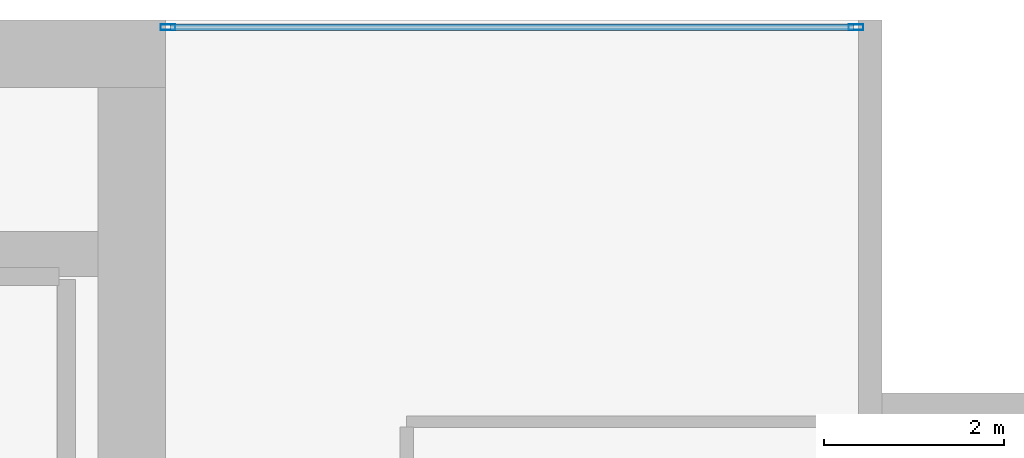
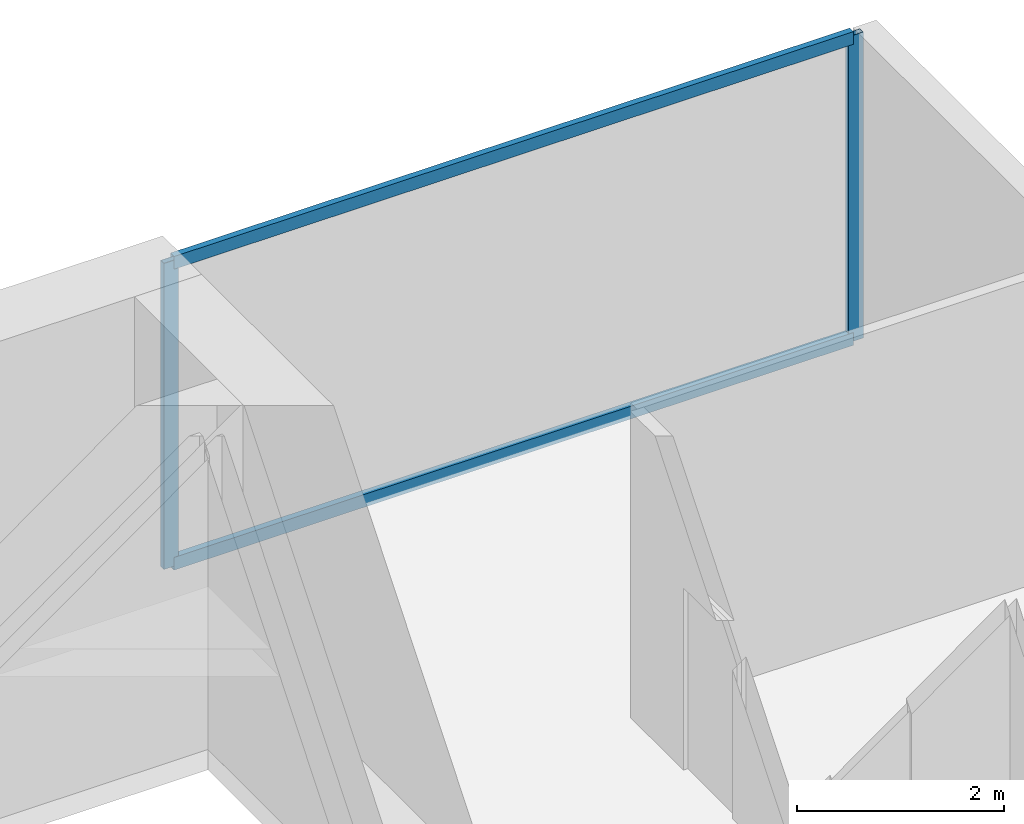
# One storey, part 25 of 34: 4 members, 1 element without a shape of its own.
"""IFC4 building model written with IfcOpenShell, lengths in metres."""

import ifcopenshell
import ifcopenshell.guid

model = None  # the IFC model being written
_history = None  # IfcOwnerHistory: only IFC2X3 demands one
_inside = {}  # id of a spatial element -> (the spatial element, [elements in it])
_under = {}  # id of a project, library or spatial element -> (it, [spatial elements below it])
_declared = {}  # id of a project -> (the project, [libraries it declares])
_typed = {}  # id of a type object -> (the type object, [elements of that type])
_made_of = {}  # id of a material, layer set ... -> (it, [elements and type objects made of it])


def new_model(schema):
    """Start an empty IFC model of exactly this schema.

    Asked for "IFC4X3", IfcOpenShell would pick the latest addendum, in which some entities
    have other attributes; the version numbers below select the first issue.
    IFC2X3 requires an IfcOwnerHistory on every rooted entity: one is made here for all.
    """
    global model, _history
    if schema == "IFC4X3":
        model = ifcopenshell.file(schema_version=(4, 3, 0, 0))
    else:
        model = ifcopenshell.file(schema=schema)
    _inside.clear()
    _under.clear()
    _declared.clear()
    _typed.clear()
    _made_of.clear()
    _history = None
    if model.schema == "IFC2X3":
        org = make("IfcOrganization", Name="unknown")
        user = make(
            "IfcPersonAndOrganization",
            ThePerson=make("IfcPerson", FamilyName="unknown"),
            TheOrganization=org,
        )
        app = make(
            "IfcApplication",
            ApplicationDeveloper=org,
            Version="unknown",
            ApplicationFullName="unknown",
            ApplicationIdentifier="unknown",
        )
        _history = make(
            "IfcOwnerHistory",
            OwningUser=user,
            OwningApplication=app,
            ChangeAction="ADDED",
            CreationDate=0,
        )
    return model


def make(cls, **values):
    """One entity of the class cls with the attributes given. An attribute that is None is left unset."""
    return model.create_entity(
        cls, **{name: value for name, value in values.items() if value is not None}
    )


def rooted(cls, **values):
    """An entity with a GlobalId (a new one), such as an element, a storey or a relation."""
    return make(cls, GlobalId=ifcopenshell.guid.new(), OwnerHistory=_history, **values)


def si_unit(unit_type, name, prefix=None):
    """IfcSIUnit, for example si_unit("LENGTHUNIT", "METRE", prefix="MILLI")."""
    return make("IfcSIUnit", UnitType=unit_type, Prefix=prefix, Name=name)


def assignment(units):
    """IfcUnitAssignment: the units of a project."""
    return None if units is None else make("IfcUnitAssignment", Units=units)


def point(xyz):
    """IfcCartesianPoint."""
    return None if xyz is None else make("IfcCartesianPoint", Coordinates=xyz)


def direction(xyz):
    """IfcDirection."""
    return None if xyz is None else make("IfcDirection", DirectionRatios=xyz)


def frame(location, z_axis=None, x_axis=None):
    """IfcAxis2Placement3D, a coordinate frame: its origin and axes. An axis left out is left unset."""
    return make(
        "IfcAxis2Placement3D",
        Location=point(location),
        Axis=direction(z_axis),
        RefDirection=direction(x_axis),
    )


def frame_2d(location, x_axis=None):
    """IfcAxis2Placement2D, a coordinate frame in the plane: its origin and x axis."""
    return make(
        "IfcAxis2Placement2D", Location=point(location), RefDirection=direction(x_axis)
    )


def origin():
    """The frame at (0, 0, 0) with its axes left unset."""
    return frame((0.0, 0.0, 0.0))


def origin_2d():
    """The frame at (0, 0) in the plane with its x axis left unset."""
    return frame_2d((0.0, 0.0))


def place(relative_to, where):
    """IfcLocalPlacement: puts the frame where relative to a parent placement (None: the world)."""
    return make(
        "IfcLocalPlacement", PlacementRelTo=relative_to, RelativePlacement=where
    )


def context(
    kind, dimensions, precision=None, world=None, true_north=None, identifier=None
):
    """IfcGeometricRepresentationContext, for example the 3D "Model" context."""
    return make(
        "IfcGeometricRepresentationContext",
        ContextIdentifier=identifier,
        ContextType=kind,
        CoordinateSpaceDimension=dimensions,
        Precision=precision,
        WorldCoordinateSystem=world,
        TrueNorth=true_north,
    )


def subcontext(parent, identifier, kind, view, scale=None):
    """IfcGeometricRepresentationSubContext, for example "Body" below "Model"."""
    return make(
        "IfcGeometricRepresentationSubContext",
        ContextIdentifier=identifier,
        ContextType=kind,
        ParentContext=parent,
        TargetScale=scale,
        TargetView=view,
    )


def project(units=None, contexts=None):
    """IfcProject with its units and contexts."""
    return rooted(
        "IfcProject",
        Name="project",
        RepresentationContexts=contexts,
        UnitsInContext=assignment(units),
    )


def spatial(cls, under=None, at=None, **own):
    """A site, building, storey or space (cls), placed at a placement, below another one or the project."""
    s = rooted(cls, ObjectPlacement=at, **own)
    if under is not None:
        _under.setdefault(under.id(), (under, []))[1].append(s)
    return s


def profile(cls, at=None, kind="AREA", **sizes):
    """A parametric profile (cls). Its sizes go by their IFC names, for example OverallWidth=200.0."""
    return make(cls, ProfileType=kind, Position=at, **sizes)


def hollow_rectangle(**sizes):
    """IfcRectangleHollowProfileDef."""
    return profile("IfcRectangleHollowProfileDef", **sizes)


def extrude(swept, where, along, depth):
    """IfcExtrudedAreaSolid: the profile swept, set in the frame where, extruded along a direction by depth."""
    return make(
        "IfcExtrudedAreaSolid",
        SweptArea=swept,
        Position=where,
        ExtrudedDirection=direction(along),
        Depth=depth,
    )


def shape(context_of_items, identifier, shape_type, items):
    """IfcShapeRepresentation: the items that make up one representation, for example the "Body"."""
    return make(
        "IfcShapeRepresentation",
        ContextOfItems=context_of_items,
        RepresentationIdentifier=identifier,
        RepresentationType=shape_type,
        Items=items,
    )


def material(Name=None, Category=None):
    """IfcMaterial."""
    return make("IfcMaterial", Name=Name, Category=Category)


def layer(
    of_material, thickness, ventilated=None, Name=None, Category=None, Priority=None
):
    """IfcMaterialLayer: one layer of a wall or slab, of a material (None: an air gap)."""
    return make(
        "IfcMaterialLayer",
        Material=of_material,
        LayerThickness=thickness,
        IsVentilated=ventilated,
        Name=Name,
        Category=Category,
        Priority=Priority,
    )


def layer_set(layers, Name=None):
    """IfcMaterialLayerSet."""
    return make("IfcMaterialLayerSet", MaterialLayers=layers, LayerSetName=Name)


def material_profile(
    of_material, cross_section, Name=None, Category=None, Priority=None
):
    """IfcMaterialProfile: a cross section and its material."""
    return make(
        "IfcMaterialProfile",
        Name=Name,
        Material=of_material,
        Profile=cross_section,
        Priority=Priority,
        Category=Category,
    )


def profile_set(profiles, Name=None, composite=None):
    """IfcMaterialProfileSet."""
    return make(
        "IfcMaterialProfileSet",
        Name=Name,
        MaterialProfiles=profiles,
        CompositeProfile=composite,
    )


def made_of(thing, what):
    """Note that an element or type object is made of a material, layer set ...; save() writes the relation."""
    if what is not None:
        _made_of.setdefault(what.id(), (what, []))[1].append(thing)
    return thing


def type_object(cls, material=None, **own):
    """A type object (cls), such as IfcWallType, which elements share."""
    return made_of(rooted(cls, **own), material)


def element(
    cls,
    number,
    at=None,
    inside=None,
    cuts=None,
    type_object=None,
    material=None,
    context=None,
    identifier="Body",
    shape_type=None,
    held_by="IfcProductDefinitionShape",
    body=None,
    shapes=None,
    **own,
):
    """One element of the class cls, such as IfcWall. Its Tag is "e" and its number.

    at: its placement. inside: the storey or other place that contains it. cuts: it is an
    opening in that element (IfcRelVoidsElement). A single representation is given by context,
    identifier, shape_type and body (its items); several are given by shapes. held_by: the class
    of the entity that holds the representations. save() writes the other relations.
    """
    e = rooted(cls, Tag="e%d" % number, ObjectPlacement=at, **own)
    if body is not None:
        shapes = [shape(context, identifier, shape_type, body)]
    if shapes is not None:
        e.Representation = make(held_by, Representations=shapes)
    if inside is not None:
        _inside.setdefault(inside.id(), (inside, []))[1].append(e)
    if cuts is not None:
        rooted(
            "IfcRelVoidsElement", RelatingBuildingElement=cuts, RelatedOpeningElement=e
        )
    if type_object is not None:
        _typed.setdefault(type_object.id(), (type_object, []))[1].append(e)
    return made_of(e, material)


def aggregate(whole, parts):
    """IfcRelAggregates: a whole, such as a stair, and the parts it consists of."""
    return rooted("IfcRelAggregates", RelatingObject=whole, RelatedObjects=parts)


def save(model, path):
    """Write the relations noted so far, then the file.

    IfcRelAggregates (storeys below a building ...), IfcRelContainedInSpatialStructure (elements
    in a storey), IfcRelDefinesByType, IfcRelAssociatesMaterial and IfcRelDeclares: one each for
    every whole, place, type object, material and project.
    """
    for whole, parts in _under.values():
        aggregate(whole, parts)
    for where, things in _inside.values():
        rooted(
            "IfcRelContainedInSpatialStructure",
            RelatedElements=things,
            RelatingStructure=where,
        )
    for kind, things in _typed.values():
        rooted("IfcRelDefinesByType", RelatedObjects=things, RelatingType=kind)
    for what, things in _made_of.values():
        rooted("IfcRelAssociatesMaterial", RelatedObjects=things, RelatingMaterial=what)
    for by, libraries in _declared.values():
        rooted("IfcRelDeclares", RelatingContext=by, RelatedDefinitions=libraries)
    model.write(path)


model = new_model("IFC4")

# Units and contexts
model_context = context("Model", 3, precision=1e-05, world=origin(), true_north=direction((0.0, 1.0)))
body_context = subcontext(model_context, "Body", "Model", "MODEL_VIEW")
ifc_project = project(units=[si_unit("LENGTHUNIT", "METRE"), si_unit("AREAUNIT", "SQUARE_METRE"), si_unit("VOLUMEUNIT", "CUBIC_METRE"), si_unit("PLANEANGLEUNIT", "RADIAN"), si_unit("MASSUNIT", "GRAM", prefix="KILO")], contexts=[model_context])

# Site, building, storey
site_placement = place(None, origin())
site = spatial("IfcSite", under=ifc_project, at=site_placement, CompositionType="ELEMENT")
building_placement = place(site_placement, origin())
building = spatial("IfcBuilding", under=site, at=building_placement, Name="Maruvema Waterfront Hotel and Observation Tower", CompositionType="ELEMENT")
storey_placement = place(building_placement, frame((0.0, 0.0, 177.449951171875)))
storey = spatial("IfcBuildingStorey", under=building, at=storey_placement, Name="L43", CompositionType="ELEMENT", Elevation=177.449951171875)

# Curtain wall, members
ifc_material_1 = material(Name="Anodised bronze aluminium and solar-control low-E IGU", Category="aluminium")
ifc_layer = layer(ifc_material_1, 0.159912109375, Name="Zone 2 Amber Inner Thermal Curtain Wall System CW-03")
ifc_layer_set = layer_set([ifc_layer], Name="Anodised bronze aluminium and solar-control low-E IGU")
curtain_wall_type = type_object("IfcCurtainWallType", Name="Zone 2 Amber Inner Thermal Curtain Wall System CW-03", PredefinedType="USERDEFINED", material=ifc_layer_set)
curtain_wall_placement = place(storey_placement, origin())
curtain_wall = element("IfcCurtainWall", 1, at=curtain_wall_placement, inside=storey, type_object=curtain_wall_type, Name="L43 Curtain Wall CW-L43-NE", ObjectType="UNITISED CURTAIN WALL", PredefinedType="USERDEFINED")
ifc_material_2 = material(Name="Anodised architectural bronze aluminium", Category="aluminium")
ifc_material_profile_1 = material_profile(ifc_material_2, hollow_rectangle(XDim=0.070068359375, YDim=0.14990234375, WallThickness=0.00390625, at=origin_2d()), Name="ALU-T70x150")
ifc_profile_set_1 = profile_set([ifc_material_profile_1], Name="Anodised architectural bronze aluminium")
member_type_1 = type_object("IfcMemberType", Name="Curtain Wall Horizontal Transom ALU-T70x150", PredefinedType="USERDEFINED", material=ifc_profile_set_1)
member_1_placement = place(storey_placement, frame((58.0400390625, 53.919921875, 0.030029296875), z_axis=(-1.0, 0.0, 0.0), x_axis=(0.0, -1.0, 0.0)))
member_1 = element("IfcMember", 2, at=member_1_placement, type_object=member_type_1, Name="CW-03 transom 1.1", ObjectType="TRANSOM", PredefinedType="USERDEFINED", context=body_context, shape_type="SweptSolid", body=[
    extrude(hollow_rectangle(XDim=0.070068359375, YDim=0.14990234375, WallThickness=0.00390625, at=origin_2d()), origin(), (0.0, 0.0, 1.0), 7.580078125),
])
member_2_placement = place(storey_placement, frame((58.0400390625, 53.919921875, 3.580078125), z_axis=(-1.0, 0.0, 0.0), x_axis=(0.0, -1.0, 0.0)))
member_2 = element("IfcMember", 3, at=member_2_placement, type_object=member_type_1, Name="CW-03 transom 1.2", ObjectType="TRANSOM", PredefinedType="USERDEFINED", context=body_context, shape_type="SweptSolid", body=[
    extrude(hollow_rectangle(XDim=0.070068359375, YDim=0.14990234375, WallThickness=0.00390625, at=origin_2d()), origin(), (0.0, 0.0, 1.0), 7.580078125),
])
ifc_material_3 = material(Name="Anodised architectural bronze aluminium", Category="aluminium")
ifc_material_profile_2 = material_profile(ifc_material_3, hollow_rectangle(XDim=0.06494140625, YDim=0.1650390625, WallThickness=0.00390625, at=origin_2d()), Name="ALU-M65x165")
ifc_profile_set_2 = profile_set([ifc_material_profile_2], Name="Anodised architectural bronze aluminium")
member_type_2 = type_object("IfcMemberType", Name="Curtain Wall Primary Mullion ALU-M65x165", PredefinedType="MULLION", material=ifc_profile_set_2)
member_3_placement = place(storey_placement, frame((58.070068359375, 53.919921875, 0.0), z_axis=(0.0, 0.0, 1.0), x_axis=(0.0, -1.0, 0.0)))
member_3 = element("IfcMember", 4, at=member_3_placement, type_object=member_type_2, Name="CW-03 mullion 1", PredefinedType="MULLION", context=body_context, shape_type="SweptSolid", body=[
    extrude(hollow_rectangle(XDim=0.06494140625, YDim=0.1650390625, WallThickness=0.00390625, at=origin_2d()), origin(), (0.0, 0.0, 1.0), 3.610107421875),
])
member_4_placement = place(storey_placement, frame((50.429931640625, 53.919921875, 0.0), z_axis=(0.0, 0.0, 1.0), x_axis=(0.0, -1.0, 0.0)))
member_4 = element("IfcMember", 5, at=member_4_placement, type_object=member_type_2, Name="CW-03 mullion 2", PredefinedType="MULLION", context=body_context, shape_type="SweptSolid", body=[
    extrude(hollow_rectangle(XDim=0.06494140625, YDim=0.1650390625, WallThickness=0.00390625, at=origin_2d()), origin(), (0.0, 0.0, 1.0), 3.610107421875),
])
aggregate(curtain_wall, [member_3, member_4, member_1, member_2])

save(model, "model.ifc")
